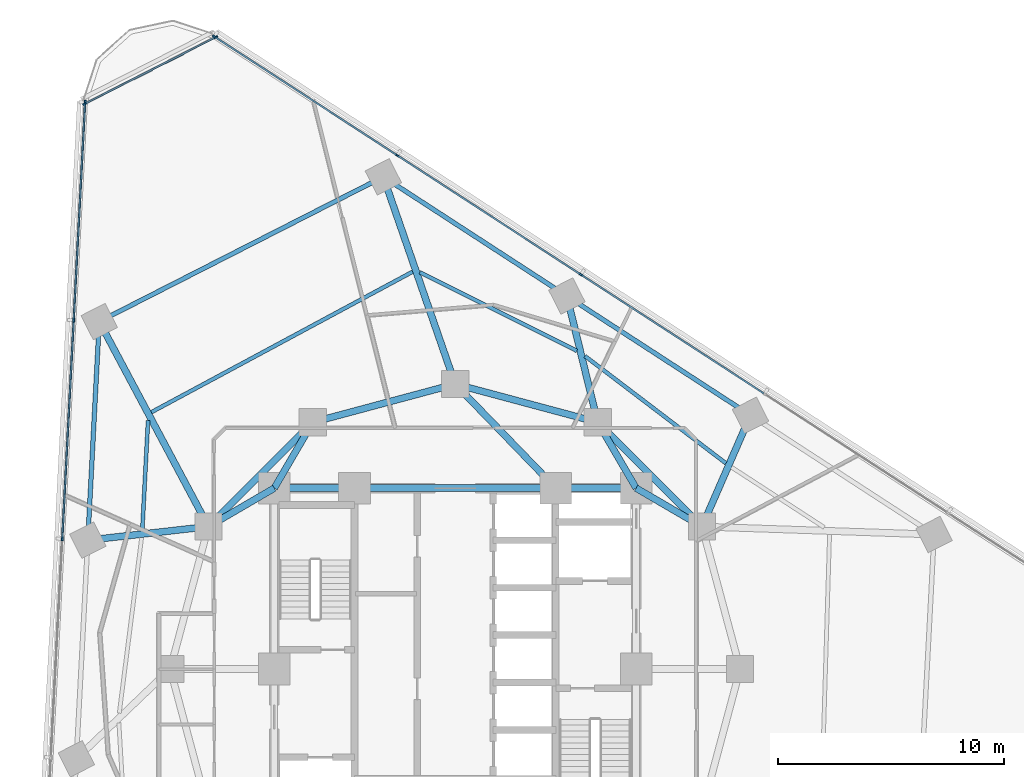
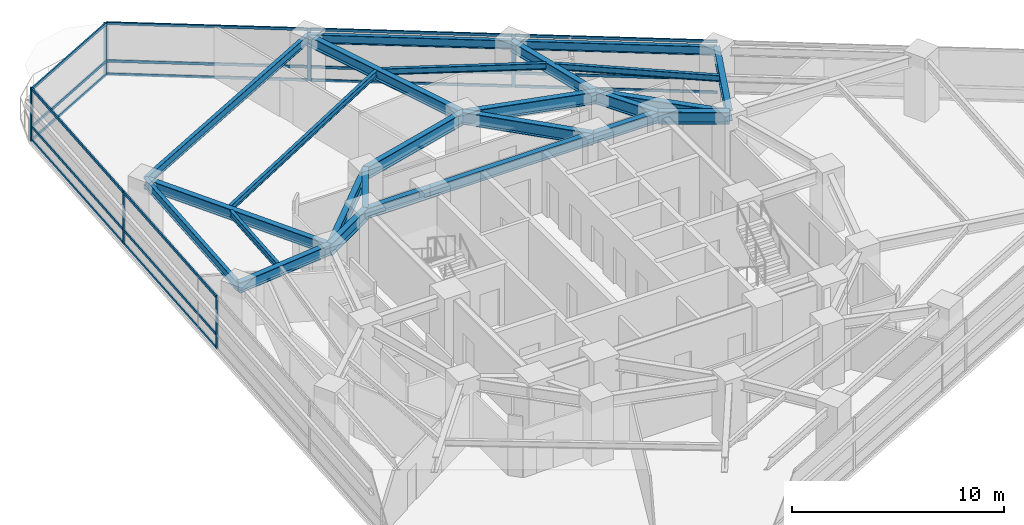
# One storey, part 5 of 14: 26 members, 25 beams, 3 elements without a shape of their own.
"""IFC4 building model written with IfcOpenShell, lengths in metres."""

from ifc_helpers import new_model, si_unit, direction, frame, origin, origin_2d, place, context, subcontext, project, spatial, rectangle, i_section, extrude, material, layer, layer_set, material_profile, profile_set, type_object, element, aggregate, save


model = new_model("IFC4")

# Units and contexts
model_context = context("Model", 3, precision=1e-05, world=origin(), true_north=direction((0.0, 1.0)))
body_context = subcontext(model_context, "Body", "Model", "MODEL_VIEW")
ifc_project = project(units=[si_unit("LENGTHUNIT", "METRE"), si_unit("AREAUNIT", "SQUARE_METRE"), si_unit("VOLUMEUNIT", "CUBIC_METRE"), si_unit("PLANEANGLEUNIT", "RADIAN"), si_unit("MASSUNIT", "GRAM", prefix="KILO")], contexts=[model_context])

# Site, building, storey
site_placement = place(None, origin())
site = spatial("IfcSite", under=ifc_project, at=site_placement, CompositionType="ELEMENT")
building_placement = place(site_placement, origin())
building = spatial("IfcBuilding", under=site, at=building_placement, Name="Terralouvre Media Tower", CompositionType="ELEMENT")
storey_placement = place(building_placement, frame((0.0, 0.0, 134.699951171875)))
storey = spatial("IfcBuildingStorey", under=building, at=storey_placement, Name="L34", CompositionType="ELEMENT", Elevation=134.699951171875)

# Beams
ifc_material_1 = material(Name="Structural steel S355J2", Category="steel")
ifc_material_profile_1 = material_profile(ifc_material_1, i_section(OverallWidth=0.169921875, OverallDepth=0.360107421875, WebThickness=0.008056640625, FlangeThickness=0.0126953125, at=origin_2d()), Name="IPE 360")
ifc_profile_set_1 = profile_set([ifc_material_profile_1], Name="Structural steel S355J2")
beam_type_1 = type_object("IfcBeamType", Name="Composite Floor Joist J-IPE360 (IPE 360)", PredefinedType="JOIST", material=ifc_profile_set_1)
beam_1_placement = place(storey_placement, frame((11.970703125, 9.098388671875, 3.320068359375), z_axis=(-0.795913950382, 0.605409765024, 0.0), x_axis=(-0.605409765024, -0.795913950382, 0.0)))
element("IfcBeam", 1, at=beam_1_placement, inside=storey, type_object=beam_type_1, Name="L34 Framing Beam JT-L34-08", PredefinedType="JOIST", context=body_context, shape_type="SweptSolid", body=[
    extrude(i_section(OverallWidth=0.169921875, OverallDepth=0.360107421875, WebThickness=0.008056640625, FlangeThickness=0.0126953125, at=origin_2d()), origin(), (0.0, 0.0, 1.0), 7.8291015625),
])
beam_2_placement = place(storey_placement, frame((5.37744140625, 14.068603515625, 3.320068359375), z_axis=(-0.893973577097, 0.448119675368, 0.0), x_axis=(-0.448119675368, -0.893973577097, 0.0)))
element("IfcBeam", 2, at=beam_2_placement, inside=storey, type_object=beam_type_1, Name="L34 Framing Beam JT-L34-09", PredefinedType="JOIST", context=body_context, shape_type="SweptSolid", body=[
    extrude(i_section(OverallWidth=0.169921875, OverallDepth=0.360107421875, WebThickness=0.008056640625, FlangeThickness=0.0126953125, at=origin_2d()), origin(), (0.0, 0.0, 1.0), 7.758056640625),
])
beam_3_placement = place(storey_placement, frame((-1.880615234375, 17.569580078125, 3.320068359375), z_axis=(-0.880744642144, -0.473591464592, 0.0), x_axis=(0.473591464592, -0.880744642144, 0.0)))
element("IfcBeam", 3, at=beam_3_placement, inside=storey, type_object=beam_type_1, Name="L34 Framing Beam JT-L34-10", PredefinedType="JOIST", context=body_context, shape_type="SweptSolid", body=[
    extrude(i_section(OverallWidth=0.169921875, OverallDepth=0.360107421875, WebThickness=0.008056640625, FlangeThickness=0.0126953125, at=origin_2d()), origin(), (0.0, 0.0, 1.0), 13.11865234375),
])
beam_4_placement = place(storey_placement, frame((-13.58203125, 10.9970703125, 3.320068359375), z_axis=(-0.052377831518, -0.998627339284, 0.0), x_axis=(0.998627339284, -0.052377831518, 0.0)))
element("IfcBeam", 4, at=beam_4_placement, inside=storey, type_object=beam_type_1, Name="L34 Framing Beam JT-L34-11", PredefinedType="JOIST", context=body_context, shape_type="SweptSolid", body=[
    extrude(i_section(OverallWidth=0.169921875, OverallDepth=0.360107421875, WebThickness=0.008056640625, FlangeThickness=0.0126953125, at=origin_2d()), origin(), (0.0, 0.0, 1.0), 4.884765625),
])

# Curtain wall, members
ifc_material_2 = material(Name="Low-iron laminated double glazing with solar-control coating", Category="glass")
ifc_layer_1 = layer(ifc_material_2, 0.1650390625, Name="Production Studio Tower Curtain Wall CW-03")
ifc_layer_set_1 = layer_set([ifc_layer_1], Name="Low-iron laminated double glazing with solar-control coating")
curtain_wall_type_1 = type_object("IfcCurtainWallType", Name="Production Studio Tower Curtain Wall CW-03", PredefinedType="NOTDEFINED", material=ifc_layer_set_1)
curtain_wall_1_placement = place(storey_placement, origin())
curtain_wall_1 = element("IfcCurtainWall", 5, at=curtain_wall_1_placement, inside=storey, type_object=curtain_wall_type_1, Name="L34 Facade Curtain Wall F1", PredefinedType="NOTDEFINED")
ifc_material_3 = material(Name="Anodised extruded aluminium 6063-T6", Category="aluminium")
ifc_material_profile_2 = material_profile(ifc_material_3, rectangle(XDim=0.074951171875, YDim=0.14990234375, at=origin_2d()), Name="ALU 75x150")
ifc_profile_set_2 = profile_set([ifc_material_profile_2], Name="Anodised extruded aluminium 6063-T6")
member_type_1 = type_object("IfcMemberType", Name="Curtain-Wall Horizontal Transom TR-150", PredefinedType="USERDEFINED", material=ifc_profile_set_2)
member_1_placement = place(storey_placement, frame((13.6416015625, 12.1884765625, 0.03759765625), z_axis=(-0.838672931076, 0.544635396095, 0.0), x_axis=(-0.544635396095, -0.838672931076, 0.0)))
member_1 = element("IfcMember", 6, at=member_1_placement, type_object=member_type_1, Name="CW-03 transom 3.1", ObjectType="TRANSOM", PredefinedType="USERDEFINED", context=body_context, shape_type="SweptSolid", body=[
    extrude(rectangle(XDim=0.074951171875, YDim=0.14990234375, at=origin_2d()), origin(), (0.0, 0.0, 1.0), 9.60498046875),
])
member_2_placement = place(storey_placement, frame((13.6416015625, 12.1884765625, 0.800048828125), z_axis=(-0.838672931076, 0.544635396095, 0.0), x_axis=(-0.544635396095, -0.838672931076, 0.0)))
member_2 = element("IfcMember", 7, at=member_2_placement, type_object=member_type_1, Name="CW-03 transom 3.2", ObjectType="TRANSOM", PredefinedType="USERDEFINED", context=body_context, shape_type="SweptSolid", body=[
    extrude(rectangle(XDim=0.074951171875, YDim=0.14990234375, at=origin_2d()), origin(), (0.0, 0.0, 1.0), 9.60498046875),
])
member_3_placement = place(storey_placement, frame((13.6416015625, 12.1884765625, 2.962646484375), z_axis=(-0.838672931076, 0.544635396095, 0.0), x_axis=(-0.544635396095, -0.838672931076, 0.0)))
member_3 = element("IfcMember", 8, at=member_3_placement, type_object=member_type_1, Name="CW-03 transom 3.3", ObjectType="TRANSOM", PredefinedType="USERDEFINED", context=body_context, shape_type="SweptSolid", body=[
    extrude(rectangle(XDim=0.074951171875, YDim=0.14990234375, at=origin_2d()), origin(), (0.0, 0.0, 1.0), 9.60498046875),
])
member_4_placement = place(storey_placement, frame((5.523193359375, 17.460693359375, 0.03759765625), z_axis=(-0.838672931076, 0.544635396095, 0.0), x_axis=(-0.544635396095, -0.838672931076, 0.0)))
member_4 = element("IfcMember", 9, at=member_4_placement, type_object=member_type_1, Name="CW-03 transom 4.1", ObjectType="TRANSOM", PredefinedType="USERDEFINED", context=body_context, shape_type="SweptSolid", body=[
    extrude(rectangle(XDim=0.074951171875, YDim=0.14990234375, at=origin_2d()), origin(), (0.0, 0.0, 1.0), 9.60498046875),
])
member_5_placement = place(storey_placement, frame((5.523193359375, 17.460693359375, 0.800048828125), z_axis=(-0.838672931076, 0.544635396095, 0.0), x_axis=(-0.544635396095, -0.838672931076, 0.0)))
member_5 = element("IfcMember", 10, at=member_5_placement, type_object=member_type_1, Name="CW-03 transom 4.2", ObjectType="TRANSOM", PredefinedType="USERDEFINED", context=body_context, shape_type="SweptSolid", body=[
    extrude(rectangle(XDim=0.074951171875, YDim=0.14990234375, at=origin_2d()), origin(), (0.0, 0.0, 1.0), 9.60498046875),
])
member_6_placement = place(storey_placement, frame((5.523193359375, 17.460693359375, 2.962646484375), z_axis=(-0.838672931076, 0.544635396095, 0.0), x_axis=(-0.544635396095, -0.838672931076, 0.0)))
member_6 = element("IfcMember", 11, at=member_6_placement, type_object=member_type_1, Name="CW-03 transom 4.3", ObjectType="TRANSOM", PredefinedType="USERDEFINED", context=body_context, shape_type="SweptSolid", body=[
    extrude(rectangle(XDim=0.074951171875, YDim=0.14990234375, at=origin_2d()), origin(), (0.0, 0.0, 1.0), 9.60498046875),
])
member_7_placement = place(storey_placement, frame((-2.594970703125, 22.732666015625, 0.03759765625), z_axis=(-0.838671492993, 0.544637610565, 0.0), x_axis=(-0.544637610565, -0.838671492993, 0.0)))
member_7 = element("IfcMember", 12, at=member_7_placement, type_object=member_type_1, Name="CW-03 transom 5.1", ObjectType="TRANSOM", PredefinedType="USERDEFINED", context=body_context, shape_type="SweptSolid", body=[
    extrude(rectangle(XDim=0.074951171875, YDim=0.14990234375, at=origin_2d()), origin(), (0.0, 0.0, 1.0), 9.567626953125),
])
member_8_placement = place(storey_placement, frame((-2.594970703125, 22.732666015625, 0.800048828125), z_axis=(-0.838671492993, 0.544637610565, 0.0), x_axis=(-0.544637610565, -0.838671492993, 0.0)))
member_8 = element("IfcMember", 13, at=member_8_placement, type_object=member_type_1, Name="CW-03 transom 5.2", ObjectType="TRANSOM", PredefinedType="USERDEFINED", context=body_context, shape_type="SweptSolid", body=[
    extrude(rectangle(XDim=0.074951171875, YDim=0.14990234375, at=origin_2d()), origin(), (0.0, 0.0, 1.0), 9.567626953125),
])
member_9_placement = place(storey_placement, frame((-2.594970703125, 22.732666015625, 2.962646484375), z_axis=(-0.838671492993, 0.544637610565, 0.0), x_axis=(-0.544637610565, -0.838671492993, 0.0)))
member_9 = element("IfcMember", 14, at=member_9_placement, type_object=member_type_1, Name="CW-03 transom 5.3", ObjectType="TRANSOM", PredefinedType="USERDEFINED", context=body_context, shape_type="SweptSolid", body=[
    extrude(rectangle(XDim=0.074951171875, YDim=0.14990234375, at=origin_2d()), origin(), (0.0, 0.0, 1.0), 9.567626953125),
])

curtain_wall_2_placement = place(storey_placement, origin())
curtain_wall_2 = element("IfcCurtainWall", 15, at=curtain_wall_2_placement, inside=storey, type_object=curtain_wall_type_1, Name="L34 Facade Curtain Wall F2", PredefinedType="NOTDEFINED")
member_10_placement = place(storey_placement, frame((-16.364990234375, 25.015869140625, 0.03759765625), z_axis=(-0.052336504837, -0.998629506004, 0.0), x_axis=(0.998629506004, -0.052336504837, 0.0)))
member_10 = element("IfcMember", 16, at=member_10_placement, type_object=member_type_1, Name="CW-03 transom 1.1", ObjectType="TRANSOM", PredefinedType="USERDEFINED", context=body_context, shape_type="SweptSolid", body=[
    extrude(rectangle(XDim=0.074951171875, YDim=0.14990234375, at=origin_2d()), origin(), (0.0, 0.0, 1.0), 9.567626953125),
])
member_11_placement = place(storey_placement, frame((-16.364990234375, 25.015869140625, 0.800048828125), z_axis=(-0.052336504837, -0.998629506004, 0.0), x_axis=(0.998629506004, -0.052336504837, 0.0)))
member_11 = element("IfcMember", 17, at=member_11_placement, type_object=member_type_1, Name="CW-03 transom 1.2", ObjectType="TRANSOM", PredefinedType="USERDEFINED", context=body_context, shape_type="SweptSolid", body=[
    extrude(rectangle(XDim=0.074951171875, YDim=0.14990234375, at=origin_2d()), origin(), (0.0, 0.0, 1.0), 9.567626953125),
])
member_12_placement = place(storey_placement, frame((-16.364990234375, 25.015869140625, 2.962646484375), z_axis=(-0.052336504837, -0.998629506004, 0.0), x_axis=(0.998629506004, -0.052336504837, 0.0)))
member_12 = element("IfcMember", 18, at=member_12_placement, type_object=member_type_1, Name="CW-03 transom 1.3", ObjectType="TRANSOM", PredefinedType="USERDEFINED", context=body_context, shape_type="SweptSolid", body=[
    extrude(rectangle(XDim=0.074951171875, YDim=0.14990234375, at=origin_2d()), origin(), (0.0, 0.0, 1.0), 9.567626953125),
])
member_13_placement = place(storey_placement, frame((-16.86962890625, 15.386474609375, 0.03759765625), z_axis=(-0.052336036535, -0.998629530547, 0.0), x_axis=(0.998629530547, -0.052336036535, 0.0)))
member_13 = element("IfcMember", 19, at=member_13_placement, type_object=member_type_1, Name="CW-03 transom 2.1", ObjectType="TRANSOM", PredefinedType="USERDEFINED", context=body_context, shape_type="SweptSolid", body=[
    extrude(rectangle(XDim=0.074951171875, YDim=0.14990234375, at=origin_2d()), origin(), (0.0, 0.0, 1.0), 9.60498046875),
])
member_14_placement = place(storey_placement, frame((-16.86962890625, 15.386474609375, 0.800048828125), z_axis=(-0.052336036535, -0.998629530547, 0.0), x_axis=(0.998629530547, -0.052336036535, 0.0)))
member_14 = element("IfcMember", 20, at=member_14_placement, type_object=member_type_1, Name="CW-03 transom 2.2", ObjectType="TRANSOM", PredefinedType="USERDEFINED", context=body_context, shape_type="SweptSolid", body=[
    extrude(rectangle(XDim=0.074951171875, YDim=0.14990234375, at=origin_2d()), origin(), (0.0, 0.0, 1.0), 9.60498046875),
])
member_15_placement = place(storey_placement, frame((-16.86962890625, 15.386474609375, 2.962646484375), z_axis=(-0.052336036535, -0.998629530547, 0.0), x_axis=(0.998629530547, -0.052336036535, 0.0)))
member_15 = element("IfcMember", 21, at=member_15_placement, type_object=member_type_1, Name="CW-03 transom 2.3", ObjectType="TRANSOM", PredefinedType="USERDEFINED", context=body_context, shape_type="SweptSolid", body=[
    extrude(rectangle(XDim=0.074951171875, YDim=0.14990234375, at=origin_2d()), origin(), (0.0, 0.0, 1.0), 9.60498046875),
])

ifc_material_4 = material(Name="Low-iron laminated double glazing with solar-control coating", Category="glass")
ifc_layer_2 = layer(ifc_material_4, 0.1650390625, Name="Rounded Wind-Corner Curved Glazing CW-04")
ifc_layer_set_2 = layer_set([ifc_layer_2], Name="Low-iron laminated double glazing with solar-control coating")
curtain_wall_type_2 = type_object("IfcCurtainWallType", Name="Rounded Wind-Corner Curved Glazing CW-04", PredefinedType="NOTDEFINED", material=ifc_layer_set_2)
curtain_wall_3_placement = place(storey_placement, origin())
curtain_wall_3 = element("IfcCurtainWall", 22, at=curtain_wall_3_placement, inside=storey, type_object=curtain_wall_type_2, Name="L34 Rounded Wind-Corner Curtain Wall C2", PredefinedType="NOTDEFINED")
member_16_placement = place(storey_placement, frame((-10.619873046875, 27.92626953125, 0.03759765625), z_axis=(-0.891007919555, -0.453987761167, 0.0), x_axis=(0.453987761167, -0.891007919555, 0.0)))
member_16 = element("IfcMember", 23, at=member_16_placement, type_object=member_type_1, Name="CW-04 transom 1.1", ObjectType="TRANSOM", PredefinedType="USERDEFINED", context=body_context, shape_type="SweptSolid", body=[
    extrude(rectangle(XDim=0.074951171875, YDim=0.14990234375, at=origin_2d()), origin(), (0.0, 0.0, 1.0), 6.431640625),
])
member_17_placement = place(storey_placement, frame((-10.619873046875, 27.92626953125, 0.800048828125), z_axis=(-0.891007919555, -0.453987761167, 0.0), x_axis=(0.453987761167, -0.891007919555, 0.0)))
member_17 = element("IfcMember", 24, at=member_17_placement, type_object=member_type_1, Name="CW-04 transom 1.2", ObjectType="TRANSOM", PredefinedType="USERDEFINED", context=body_context, shape_type="SweptSolid", body=[
    extrude(rectangle(XDim=0.074951171875, YDim=0.14990234375, at=origin_2d()), origin(), (0.0, 0.0, 1.0), 6.431640625),
])
member_18_placement = place(storey_placement, frame((-10.619873046875, 27.92626953125, 2.962646484375), z_axis=(-0.891007919555, -0.453987761167, 0.0), x_axis=(0.453987761167, -0.891007919555, 0.0)))
member_18 = element("IfcMember", 25, at=member_18_placement, type_object=member_type_1, Name="CW-04 transom 1.3", ObjectType="TRANSOM", PredefinedType="USERDEFINED", context=body_context, shape_type="SweptSolid", body=[
    extrude(rectangle(XDim=0.074951171875, YDim=0.14990234375, at=origin_2d()), origin(), (0.0, 0.0, 1.0), 6.431640625),
])

# Member
ifc_material_5 = material(Name="Anodised extruded aluminium 6063-T6", Category="aluminium")
ifc_material_profile_3 = material_profile(ifc_material_5, rectangle(XDim=0.074951171875, YDim=0.179931640625, at=origin_2d()), Name="ALU 75x180")
ifc_profile_set_3 = profile_set([ifc_material_profile_3], Name="Anodised extruded aluminium 6063-T6")
member_type_2 = type_object("IfcMemberType", Name="Curtain-Wall Vertical Mullion ML-180", PredefinedType="MULLION", material=ifc_profile_set_3)
member_19_placement = place(storey_placement, frame((5.5546875, 17.440185546875, 0.0), z_axis=(0.0, 0.0, 1.0), x_axis=(-0.544639002681, -0.838670588944, 0.0)))
member_19 = element("IfcMember", 26, at=member_19_placement, type_object=member_type_2, Name="CW-03 mullion 4", PredefinedType="MULLION", context=body_context, shape_type="SweptSolid", body=[
    extrude(rectangle(XDim=0.074951171875, YDim=0.179931640625, at=origin_2d()), origin(), (0.0, 0.0, 1.0), 3.0),
])

member_20_placement = place(storey_placement, frame((-2.5634765625, 22.712158203125, 0.0), z_axis=(0.0, 0.0, 1.0), x_axis=(-0.544639002681, -0.838670588944, 0.0)))
member_20 = element("IfcMember", 27, at=member_20_placement, type_object=member_type_2, Name="CW-03 mullion 5", PredefinedType="MULLION", context=body_context, shape_type="SweptSolid", body=[
    extrude(rectangle(XDim=0.074951171875, YDim=0.179931640625, at=origin_2d()), origin(), (0.0, 0.0, 1.0), 3.0),
])

member_21_placement = place(storey_placement, frame((-10.650390625, 27.9638671875, 0.0), z_axis=(0.0, 0.0, 1.0), x_axis=(-0.544639002681, -0.838670588944, 0.0)))
member_21 = element("IfcMember", 28, at=member_21_placement, type_object=member_type_2, Name="CW-03 mullion 6", PredefinedType="MULLION", context=body_context, shape_type="SweptSolid", body=[
    extrude(rectangle(XDim=0.074951171875, YDim=0.179931640625, at=origin_2d()), origin(), (0.0, 0.0, 1.0), 3.0),
])

aggregate(curtain_wall_1, [member_19, member_20, member_21, member_1, member_2, member_3, member_4, member_5, member_6, member_7, member_8, member_9])

member_22_placement = place(storey_placement, frame((-16.363037109375, 25.05322265625, 0.0), z_axis=(0.0, 0.0, 1.0), x_axis=(0.998629535089, -0.052335949864, 0.0)))
member_22 = element("IfcMember", 29, at=member_22_placement, type_object=member_type_2, Name="CW-03 mullion 1", PredefinedType="MULLION", context=body_context, shape_type="SweptSolid", body=[
    extrude(rectangle(XDim=0.074951171875, YDim=0.179931640625, at=origin_2d()), origin(), (0.0, 0.0, 1.0), 3.0),
])

member_23_placement = place(storey_placement, frame((-16.86767578125, 15.423828125, 0.0), z_axis=(0.0, 0.0, 1.0), x_axis=(0.998629535089, -0.052335949864, 0.0)))
member_23 = element("IfcMember", 30, at=member_23_placement, type_object=member_type_2, Name="CW-03 mullion 2", PredefinedType="MULLION", context=body_context, shape_type="SweptSolid", body=[
    extrude(rectangle(XDim=0.074951171875, YDim=0.179931640625, at=origin_2d()), origin(), (0.0, 0.0, 1.0), 3.0),
])

member_24_placement = place(storey_placement, frame((-17.374267578125, 5.757080078125, 0.0), z_axis=(0.0, 0.0, 1.0), x_axis=(0.998629535089, -0.052335949864, 0.0)))
member_24 = element("IfcMember", 31, at=member_24_placement, type_object=member_type_2, Name="CW-03 mullion 3", PredefinedType="MULLION", context=body_context, shape_type="SweptSolid", body=[
    extrude(rectangle(XDim=0.074951171875, YDim=0.179931640625, at=origin_2d()), origin(), (0.0, 0.0, 1.0), 3.0),
])

aggregate(curtain_wall_2, [member_22, member_23, member_24, member_10, member_11, member_12, member_13, member_14, member_15])

member_25_placement = place(storey_placement, frame((-10.58642578125, 27.943359375, 0.0), z_axis=(0.0, 0.0, 1.0), x_axis=(0.45399035059, -0.891006600184, 0.0)))
member_25 = element("IfcMember", 32, at=member_25_placement, type_object=member_type_2, Name="CW-04 mullion 1", PredefinedType="MULLION", context=body_context, shape_type="SweptSolid", body=[
    extrude(rectangle(XDim=0.074951171875, YDim=0.179931640625, at=origin_2d()), origin(), (0.0, 0.0, 1.0), 3.0),
])

member_26_placement = place(storey_placement, frame((-16.384033203125, 24.9892578125, 0.0), z_axis=(0.0, 0.0, 1.0), x_axis=(0.45399035059, -0.891006600184, 0.0)))
member_26 = element("IfcMember", 33, at=member_26_placement, type_object=member_type_2, Name="CW-04 mullion 2", PredefinedType="MULLION", context=body_context, shape_type="SweptSolid", body=[
    extrude(rectangle(XDim=0.074951171875, YDim=0.179931640625, at=origin_2d()), origin(), (0.0, 0.0, 1.0), 3.0),
])

aggregate(curtain_wall_3, [member_25, member_26, member_16, member_17, member_18])

# Beams
ifc_material_6 = material(Name="Structural steel S355J2", Category="steel")
ifc_material_profile_4 = material_profile(ifc_material_6, i_section(OverallWidth=0.199951171875, OverallDepth=0.5, WebThickness=0.01025390625, FlangeThickness=0.01611328125, at=origin_2d()), Name="IPE 500")
ifc_profile_set_4 = profile_set([ifc_material_profile_4], Name="Structural steel S355J2")
beam_type_2 = type_object("IfcBeamType", Name="Perimeter Spandrel Beam SPB-500 (IPE 500)", PredefinedType="SPANDREL", material=ifc_profile_set_4)
for number, where, z_axis, x_axis, name in (
    (34, (13.0576171875, 11.220458984375, 3.25), (-0.838679216118, 0.544625717765, 0.0), (-0.544625717765, -0.838679216118, 0.0), "L34 Framing Beam BM-L34-PR08"),
    (35, (4.939208984375, 16.492431640625, 3.25), (-0.838660214263, 0.544654977956, 0.0), (-0.544654977956, -0.838660214263, 0.0), "L34 Framing Beam BM-L34-PR09"),
):
    element("IfcBeam", number, at=place(storey_placement, frame(where, z_axis=z_axis, x_axis=x_axis)), inside=storey, type_object=beam_type_2, Name=name, PredefinedType="SPANDREL", context=body_context, shape_type="SweptSolid", body=[
        extrude(i_section(OverallWidth=0.199951171875, OverallDepth=0.5, WebThickness=0.01025390625, FlangeThickness=0.01611328125, at=origin_2d()), origin(), (0.0, 0.0, 1.0), 9.679931640625),
    ])
beam_5_placement = place(storey_placement, frame((-3.178955078125, 21.7646484375, 3.25), z_axis=(-0.891003412269, -0.453996607173, 0.0), x_axis=(0.453996607173, -0.891003412269, 0.0)))
element("IfcBeam", 36, at=beam_5_placement, inside=storey, type_object=beam_type_2, Name="L34 Framing Beam BM-L34-PR10", PredefinedType="SPANDREL", context=body_context, shape_type="SweptSolid", body=[
    extrude(i_section(OverallWidth=0.199951171875, OverallDepth=0.5, WebThickness=0.01025390625, FlangeThickness=0.01611328125, at=origin_2d()), origin(), (0.0, 0.0, 1.0), 14.096923828125),
])
beam_6_placement = place(storey_placement, frame((-15.7392578125, 15.36474609375, 3.25), z_axis=(-0.052333792648, -0.998629648141, 0.0), x_axis=(0.998629648141, -0.052333792648, 0.0)))
element("IfcBeam", 37, at=beam_6_placement, inside=storey, type_object=beam_type_2, Name="L34 Framing Beam BM-L34-PR11", PredefinedType="SPANDREL", context=body_context, shape_type="SweptSolid", body=[
    extrude(i_section(OverallWidth=0.199951171875, OverallDepth=0.5, WebThickness=0.01025390625, FlangeThickness=0.01611328125, at=origin_2d()), origin(), (0.0, 0.0, 1.0), 9.679931640625),
])
ifc_material_7 = material(Name="Structural steel S460M", Category="steel")
ifc_material_profile_5 = material_profile(ifc_material_7, i_section(OverallWidth=0.300048828125, OverallDepth=0.60009765625, WebThickness=0.015380859375, FlangeThickness=0.030029296875, at=origin_2d()), Name="HEB 600")
ifc_profile_set_5 = profile_set([ifc_material_profile_5], Name="Structural steel S460M")
beam_type_3 = type_object("IfcBeamType", Name="Primary Floor Girder B-HEB600 (HEB 600)", PredefinedType="BEAM", material=ifc_profile_set_5)
beam_7_placement = place(storey_placement, frame((8.0, 8.0, 3.199951171875), z_axis=(-1.0, 0.0, 0.0), x_axis=(0.0, -1.0, 0.0)))
element("IfcBeam", 38, at=beam_7_placement, inside=storey, type_object=beam_type_3, Name="L34 Framing Beam BM-L34-CPR06", PredefinedType="BEAM", context=body_context, shape_type="SweptSolid", body=[
    extrude(i_section(OverallWidth=0.300048828125, OverallDepth=0.60009765625, WebThickness=0.015380859375, FlangeThickness=0.030029296875, at=origin_2d()), origin(), (0.0, 0.0, 1.0), 3.550048828125),
])
beam_8_placement = place(storey_placement, frame((4.449951171875, 8.0, 3.199951171875), z_axis=(-1.0, 0.0, 0.0), x_axis=(0.0, -1.0, 0.0)))
element("IfcBeam", 39, at=beam_8_placement, inside=storey, type_object=beam_type_3, Name="L34 Framing Beam BM-L34-CPR07", PredefinedType="BEAM", context=body_context, shape_type="SweptSolid", body=[
    extrude(i_section(OverallWidth=0.300048828125, OverallDepth=0.60009765625, WebThickness=0.015380859375, FlangeThickness=0.030029296875, at=origin_2d()), origin(), (0.0, 0.0, 1.0), 8.89990234375),
])
beam_9_placement = place(storey_placement, frame((-4.449951171875, 8.0, 3.199951171875), z_axis=(-1.0, 0.0, 0.0), x_axis=(0.0, -1.0, 0.0)))
element("IfcBeam", 40, at=beam_9_placement, inside=storey, type_object=beam_type_3, Name="L34 Framing Beam BM-L34-CPR08", PredefinedType="BEAM", context=body_context, shape_type="SweptSolid", body=[
    extrude(i_section(OverallWidth=0.300048828125, OverallDepth=0.60009765625, WebThickness=0.015380859375, FlangeThickness=0.030029296875, at=origin_2d()), origin(), (0.0, 0.0, 1.0), 3.550048828125),
])
beam_10_placement = place(storey_placement, frame((10.911865234375, 6.300048828125, 3.199951171875), z_axis=(0.39973535277, 0.916630595031, 0.0), x_axis=(-0.916630595031, 0.39973535277, 0.0)))
element("IfcBeam", 41, at=beam_10_placement, inside=storey, type_object=beam_type_3, Name="L34 Framing Beam BM-L34-RD08", PredefinedType="BEAM", context=body_context, shape_type="SweptSolid", body=[
    extrude(i_section(OverallWidth=0.300048828125, OverallDepth=0.60009765625, WebThickness=0.015380859375, FlangeThickness=0.030029296875, at=origin_2d()), origin(), (0.0, 0.0, 1.0), 5.367919921875),
])
beam_11_placement = place(storey_placement, frame((6.300048828125, 10.911865234375, 3.199951171875), z_axis=(-0.23691117125, 0.971531315469, 0.0), x_axis=(-0.971531315469, -0.23691117125, 0.0)))
element("IfcBeam", 42, at=beam_11_placement, inside=storey, type_object=beam_type_3, Name="L34 Framing Beam BM-L34-RD09", PredefinedType="BEAM", context=body_context, shape_type="SweptSolid", body=[
    extrude(i_section(OverallWidth=0.300048828125, OverallDepth=0.60009765625, WebThickness=0.015380859375, FlangeThickness=0.030029296875, at=origin_2d()), origin(), (0.0, 0.0, 1.0), 5.744140625),
])
beam_12_placement = place(storey_placement, frame((0.0, 12.60009765625, 3.199951171875), z_axis=(-0.327719061781, 0.944775220116, 0.0), x_axis=(-0.944775220116, -0.327719061781, 0.0)))
element("IfcBeam", 43, at=beam_12_placement, inside=storey, type_object=beam_type_3, Name="L34 Framing Beam BM-L34-RD10", PredefinedType="BEAM", context=body_context, shape_type="SweptSolid", body=[
    extrude(i_section(OverallWidth=0.300048828125, OverallDepth=0.60009765625, WebThickness=0.015380859375, FlangeThickness=0.030029296875, at=origin_2d()), origin(), (0.0, 0.0, 1.0), 9.7001953125),
])
beam_13_placement = place(storey_placement, frame((-10.911865234375, 6.300048828125, 3.199951171875), z_axis=(-0.470048953024, 0.882640346778, 0.0), x_axis=(-0.882640346778, -0.470048953024, 0.0)))
element("IfcBeam", 44, at=beam_13_placement, inside=storey, type_object=beam_type_3, Name="L34 Framing Beam BM-L34-RD11", PredefinedType="BEAM", context=body_context, shape_type="SweptSolid", body=[
    extrude(i_section(OverallWidth=0.300048828125, OverallDepth=0.60009765625, WebThickness=0.015380859375, FlangeThickness=0.030029296875, at=origin_2d()), origin(), (0.0, 0.0, 1.0), 10.27001953125),
])
beam_14_placement = place(storey_placement, frame((-10.911865234375, 6.300048828125, 3.199951171875), z_axis=(-0.993690322099, -0.112158565283, 0.0), x_axis=(0.112158565283, -0.993690322099, 0.0)))
element("IfcBeam", 45, at=beam_14_placement, inside=storey, type_object=beam_type_3, Name="L34 Framing Beam BM-L34-RD12", PredefinedType="BEAM", context=body_context, shape_type="SweptSolid", body=[
    extrude(i_section(OverallWidth=0.300048828125, OverallDepth=0.60009765625, WebThickness=0.015380859375, FlangeThickness=0.030029296875, at=origin_2d()), origin(), (0.0, 0.0, 1.0), 5.367919921875),
])
ifc_material_8 = material(Name="Structural steel S460M", Category="steel")
ifc_material_profile_6 = material_profile(ifc_material_8, i_section(OverallWidth=0.300048828125, OverallDepth=0.699951171875, WebThickness=0.01708984375, FlangeThickness=0.031982421875, at=origin_2d()), Name="HEB 700")
ifc_profile_set_6 = profile_set([ifc_material_profile_6], Name="Structural steel S460M")
beam_type_4 = type_object("IfcBeamType", Name="Primary Floor Girder B-HEB700 (HEB 700)", PredefinedType="BEAM", material=ifc_profile_set_6)
beam_15_placement = place(storey_placement, frame((10.911865234375, 6.300048828125, 3.150146484375), z_axis=(-0.707106781187, 0.707106781187, 0.0), x_axis=(-0.707106781187, -0.707106781187, 0.0)))
element("IfcBeam", 46, at=beam_15_placement, inside=storey, type_object=beam_type_4, Name="L34 Framing Beam BM-L34-MR07", PredefinedType="BEAM", context=body_context, shape_type="SweptSolid", body=[
    extrude(i_section(OverallWidth=0.300048828125, OverallDepth=0.699951171875, WebThickness=0.01708984375, FlangeThickness=0.031982421875, at=origin_2d()), origin(), (0.0, 0.0, 1.0), 6.52197265625),
])
for number, where, z_axis, x_axis, name in (
    (47, (6.300048828125, 10.911865234375, 3.150146484375), (-0.965920481897, 0.258838989821, 0.0), (-0.258838989821, -0.965920481897, 0.0), "L34 Framing Beam BM-L34-MR08"),
    (48, (0.0, 12.60009765625, 3.150146484375), (-0.965920481897, -0.258838989821, 0.0), (0.258838989821, -0.965920481897, 0.0), "L34 Framing Beam BM-L34-MR09"),
):
    element("IfcBeam", number, at=place(storey_placement, frame(where, z_axis=z_axis, x_axis=x_axis)), inside=storey, type_object=beam_type_4, Name=name, PredefinedType="BEAM", context=body_context, shape_type="SweptSolid", body=[
        extrude(i_section(OverallWidth=0.300048828125, OverallDepth=0.699951171875, WebThickness=0.01708984375, FlangeThickness=0.031982421875, at=origin_2d()), origin(), (0.0, 0.0, 1.0), 6.522216796875),
    ])
beam_16_placement = place(storey_placement, frame((-6.300048828125, 10.911865234375, 3.150146484375), z_axis=(-0.707106781187, -0.707106781187, 0.0), x_axis=(0.707106781187, -0.707106781187, 0.0)))
element("IfcBeam", 49, at=beam_16_placement, inside=storey, type_object=beam_type_4, Name="L34 Framing Beam BM-L34-MR10", PredefinedType="BEAM", context=body_context, shape_type="SweptSolid", body=[
    extrude(i_section(OverallWidth=0.300048828125, OverallDepth=0.699951171875, WebThickness=0.01708984375, FlangeThickness=0.031982421875, at=origin_2d()), origin(), (0.0, 0.0, 1.0), 6.52197265625),
])
for number, where, z_axis, x_axis, name in (
    (50, (8.0, 8.0, 3.150146484375), (0.863602894532, -0.504172629717, 0.0), (0.504172629717, 0.863602894532, 0.0), "L34 Framing Beam BM-L34-CM07"),
    (51, (8.0, 8.0, 3.150146484375), (-0.504172629717, 0.863602894532, 0.0), (-0.863602894532, -0.504172629717, 0.0), "L34 Framing Beam BM-L34-CM08"),
):
    element("IfcBeam", number, at=place(storey_placement, frame(where, z_axis=z_axis, x_axis=x_axis)), inside=storey, type_object=beam_type_4, Name=name, PredefinedType="BEAM", context=body_context, shape_type="SweptSolid", body=[
        extrude(i_section(OverallWidth=0.300048828125, OverallDepth=0.699951171875, WebThickness=0.01708984375, FlangeThickness=0.031982421875, at=origin_2d()), origin(), (0.0, 0.0, 1.0), 3.371826171875),
    ])
beam_17_placement = place(storey_placement, frame((4.449951171875, 8.0, 3.150146484375), z_axis=(-0.695279715726, 0.718739255155, 0.0), x_axis=(-0.718739255155, -0.695279715726, 0.0)))
element("IfcBeam", 52, at=beam_17_placement, inside=storey, type_object=beam_type_4, Name="L34 Framing Beam BM-L34-CM09", PredefinedType="BEAM", context=body_context, shape_type="SweptSolid", body=[
    extrude(i_section(OverallWidth=0.300048828125, OverallDepth=0.699951171875, WebThickness=0.01708984375, FlangeThickness=0.031982421875, at=origin_2d()), origin(), (0.0, 0.0, 1.0), 6.400146484375),
])
for number, where, z_axis, x_axis, name in (
    (53, (-8.0, 8.0, 3.150146484375), (0.504172629717, 0.863602894532, 0.0), (-0.863602894532, 0.504172629717, 0.0), "L34 Framing Beam BM-L34-CM10"),
    (54, (-8.0, 8.0, 3.150146484375), (-0.863602894532, -0.504172629717, 0.0), (0.504172629717, -0.863602894532, 0.0), "L34 Framing Beam BM-L34-CM11"),
):
    element("IfcBeam", number, at=place(storey_placement, frame(where, z_axis=z_axis, x_axis=x_axis)), inside=storey, type_object=beam_type_4, Name=name, PredefinedType="BEAM", context=body_context, shape_type="SweptSolid", body=[
        extrude(i_section(OverallWidth=0.300048828125, OverallDepth=0.699951171875, WebThickness=0.01708984375, FlangeThickness=0.031982421875, at=origin_2d()), origin(), (0.0, 0.0, 1.0), 3.371826171875),
    ])

save(model, "model.ifc")
